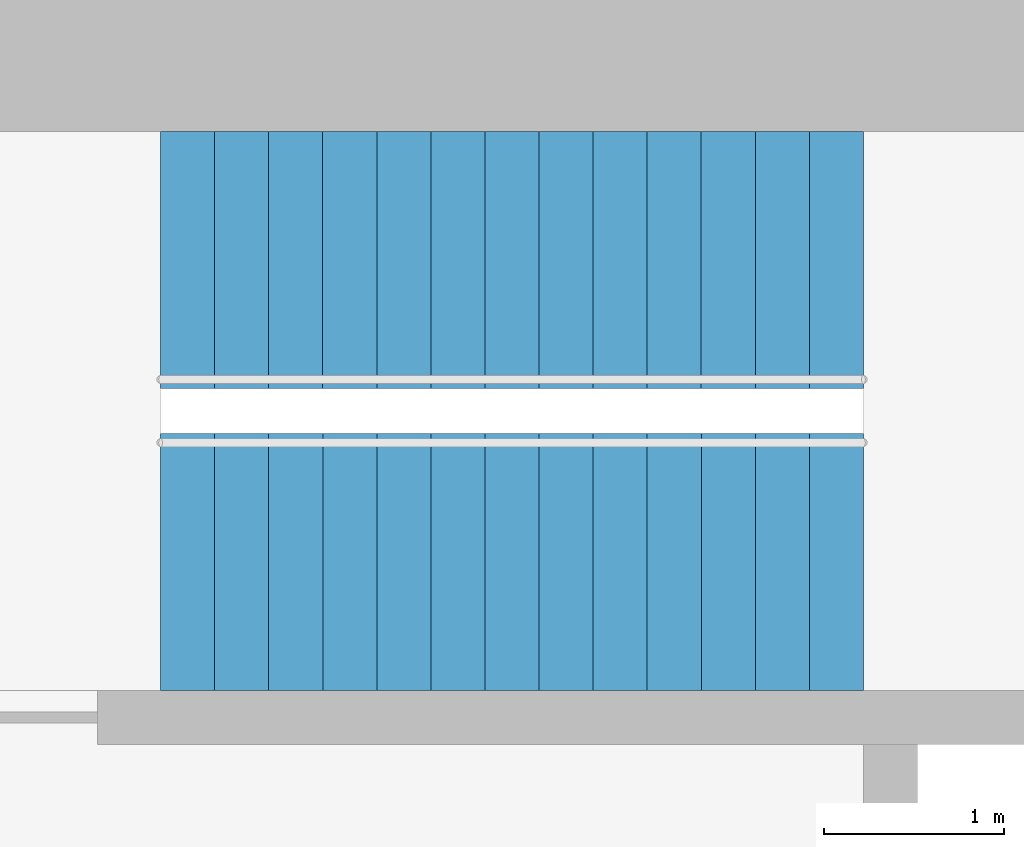
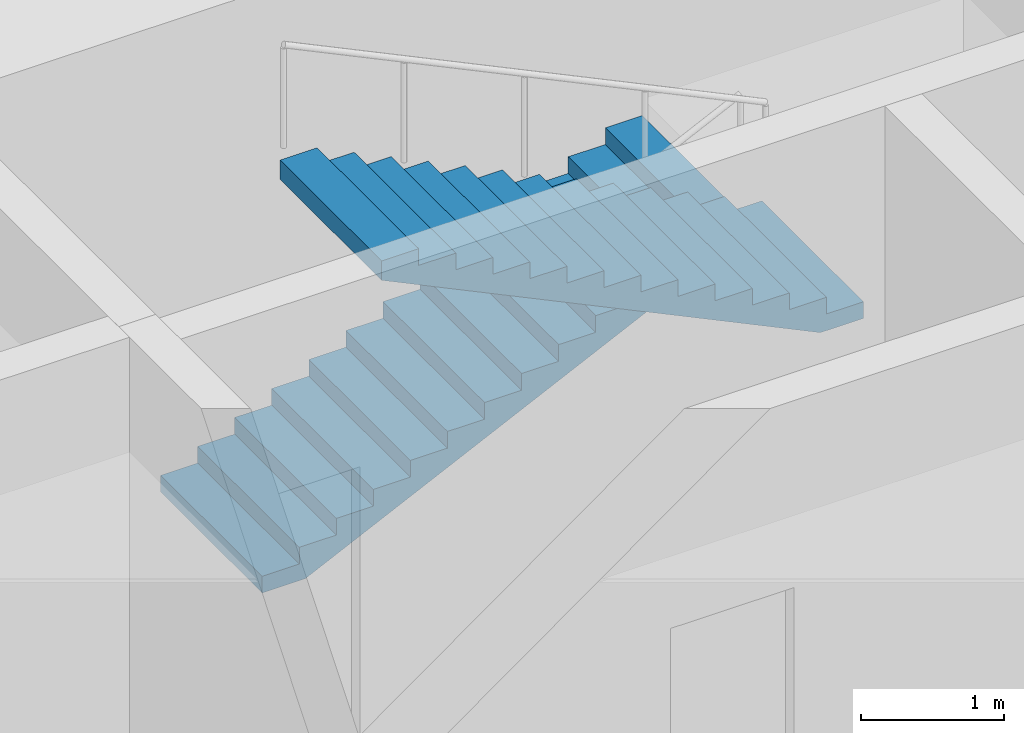
# One storey, part 33 of 34: 2 stair flights, 1 element without a shape of its own.
"""IFC4 building model written with IfcOpenShell, lengths in metres."""

import ifcopenshell
import ifcopenshell.guid

model = None  # the IFC model being written
_history = None  # IfcOwnerHistory: only IFC2X3 demands one
_inside = {}  # id of a spatial element -> (the spatial element, [elements in it])
_under = {}  # id of a project, library or spatial element -> (it, [spatial elements below it])
_declared = {}  # id of a project -> (the project, [libraries it declares])
_typed = {}  # id of a type object -> (the type object, [elements of that type])
_made_of = {}  # id of a material, layer set ... -> (it, [elements and type objects made of it])


def new_model(schema):
    """Start an empty IFC model of exactly this schema.

    Asked for "IFC4X3", IfcOpenShell would pick the latest addendum, in which some entities
    have other attributes; the version numbers below select the first issue.
    IFC2X3 requires an IfcOwnerHistory on every rooted entity: one is made here for all.
    """
    global model, _history
    if schema == "IFC4X3":
        model = ifcopenshell.file(schema_version=(4, 3, 0, 0))
    else:
        model = ifcopenshell.file(schema=schema)
    _inside.clear()
    _under.clear()
    _declared.clear()
    _typed.clear()
    _made_of.clear()
    _history = None
    if model.schema == "IFC2X3":
        org = make("IfcOrganization", Name="unknown")
        user = make(
            "IfcPersonAndOrganization",
            ThePerson=make("IfcPerson", FamilyName="unknown"),
            TheOrganization=org,
        )
        app = make(
            "IfcApplication",
            ApplicationDeveloper=org,
            Version="unknown",
            ApplicationFullName="unknown",
            ApplicationIdentifier="unknown",
        )
        _history = make(
            "IfcOwnerHistory",
            OwningUser=user,
            OwningApplication=app,
            ChangeAction="ADDED",
            CreationDate=0,
        )
    return model


def make(cls, **values):
    """One entity of the class cls with the attributes given. An attribute that is None is left unset."""
    return model.create_entity(
        cls, **{name: value for name, value in values.items() if value is not None}
    )


def rooted(cls, **values):
    """An entity with a GlobalId (a new one), such as an element, a storey or a relation."""
    return make(cls, GlobalId=ifcopenshell.guid.new(), OwnerHistory=_history, **values)


def si_unit(unit_type, name, prefix=None):
    """IfcSIUnit, for example si_unit("LENGTHUNIT", "METRE", prefix="MILLI")."""
    return make("IfcSIUnit", UnitType=unit_type, Prefix=prefix, Name=name)


def assignment(units):
    """IfcUnitAssignment: the units of a project."""
    return None if units is None else make("IfcUnitAssignment", Units=units)


def point(xyz):
    """IfcCartesianPoint."""
    return None if xyz is None else make("IfcCartesianPoint", Coordinates=xyz)


def direction(xyz):
    """IfcDirection."""
    return None if xyz is None else make("IfcDirection", DirectionRatios=xyz)


def frame(location, z_axis=None, x_axis=None):
    """IfcAxis2Placement3D, a coordinate frame: its origin and axes. An axis left out is left unset."""
    return make(
        "IfcAxis2Placement3D",
        Location=point(location),
        Axis=direction(z_axis),
        RefDirection=direction(x_axis),
    )


def origin():
    """The frame at (0, 0, 0) with its axes left unset."""
    return frame((0.0, 0.0, 0.0))


def place(relative_to, where):
    """IfcLocalPlacement: puts the frame where relative to a parent placement (None: the world)."""
    return make(
        "IfcLocalPlacement", PlacementRelTo=relative_to, RelativePlacement=where
    )


def context(
    kind, dimensions, precision=None, world=None, true_north=None, identifier=None
):
    """IfcGeometricRepresentationContext, for example the 3D "Model" context."""
    return make(
        "IfcGeometricRepresentationContext",
        ContextIdentifier=identifier,
        ContextType=kind,
        CoordinateSpaceDimension=dimensions,
        Precision=precision,
        WorldCoordinateSystem=world,
        TrueNorth=true_north,
    )


def subcontext(parent, identifier, kind, view, scale=None):
    """IfcGeometricRepresentationSubContext, for example "Body" below "Model"."""
    return make(
        "IfcGeometricRepresentationSubContext",
        ContextIdentifier=identifier,
        ContextType=kind,
        ParentContext=parent,
        TargetScale=scale,
        TargetView=view,
    )


def project(units=None, contexts=None):
    """IfcProject with its units and contexts."""
    return rooted(
        "IfcProject",
        Name="project",
        RepresentationContexts=contexts,
        UnitsInContext=assignment(units),
    )


def spatial(cls, under=None, at=None, **own):
    """A site, building, storey or space (cls), placed at a placement, below another one or the project."""
    s = rooted(cls, ObjectPlacement=at, **own)
    if under is not None:
        _under.setdefault(under.id(), (under, []))[1].append(s)
    return s


def polyline(points):
    """IfcPolyline through the points."""
    return make("IfcPolyline", Points=[point(p) for p in points])


def outline(outer, holes=None, kind="AREA"):
    """IfcArbitraryClosedProfileDef: a profile drawn as a closed curve; with holes, ...WithVoids."""
    if holes is None:
        return make("IfcArbitraryClosedProfileDef", ProfileType=kind, OuterCurve=outer)
    return make(
        "IfcArbitraryProfileDefWithVoids",
        ProfileType=kind,
        OuterCurve=outer,
        InnerCurves=holes,
    )


def extrude(swept, where, along, depth):
    """IfcExtrudedAreaSolid: the profile swept, set in the frame where, extruded along a direction by depth."""
    return make(
        "IfcExtrudedAreaSolid",
        SweptArea=swept,
        Position=where,
        ExtrudedDirection=direction(along),
        Depth=depth,
    )


def shape(context_of_items, identifier, shape_type, items):
    """IfcShapeRepresentation: the items that make up one representation, for example the "Body"."""
    return make(
        "IfcShapeRepresentation",
        ContextOfItems=context_of_items,
        RepresentationIdentifier=identifier,
        RepresentationType=shape_type,
        Items=items,
    )


def material(Name=None, Category=None):
    """IfcMaterial."""
    return make("IfcMaterial", Name=Name, Category=Category)


def made_of(thing, what):
    """Note that an element or type object is made of a material, layer set ...; save() writes the relation."""
    if what is not None:
        _made_of.setdefault(what.id(), (what, []))[1].append(thing)
    return thing


def type_object(cls, material=None, **own):
    """A type object (cls), such as IfcWallType, which elements share."""
    return made_of(rooted(cls, **own), material)


def element(
    cls,
    number,
    at=None,
    inside=None,
    cuts=None,
    type_object=None,
    material=None,
    context=None,
    identifier="Body",
    shape_type=None,
    held_by="IfcProductDefinitionShape",
    body=None,
    shapes=None,
    **own,
):
    """One element of the class cls, such as IfcWall. Its Tag is "e" and its number.

    at: its placement. inside: the storey or other place that contains it. cuts: it is an
    opening in that element (IfcRelVoidsElement). A single representation is given by context,
    identifier, shape_type and body (its items); several are given by shapes. held_by: the class
    of the entity that holds the representations. save() writes the other relations.
    """
    e = rooted(cls, Tag="e%d" % number, ObjectPlacement=at, **own)
    if body is not None:
        shapes = [shape(context, identifier, shape_type, body)]
    if shapes is not None:
        e.Representation = make(held_by, Representations=shapes)
    if inside is not None:
        _inside.setdefault(inside.id(), (inside, []))[1].append(e)
    if cuts is not None:
        rooted(
            "IfcRelVoidsElement", RelatingBuildingElement=cuts, RelatedOpeningElement=e
        )
    if type_object is not None:
        _typed.setdefault(type_object.id(), (type_object, []))[1].append(e)
    return made_of(e, material)


def aggregate(whole, parts):
    """IfcRelAggregates: a whole, such as a stair, and the parts it consists of."""
    return rooted("IfcRelAggregates", RelatingObject=whole, RelatedObjects=parts)


def save(model, path):
    """Write the relations noted so far, then the file.

    IfcRelAggregates (storeys below a building ...), IfcRelContainedInSpatialStructure (elements
    in a storey), IfcRelDefinesByType, IfcRelAssociatesMaterial and IfcRelDeclares: one each for
    every whole, place, type object, material and project.
    """
    for whole, parts in _under.values():
        aggregate(whole, parts)
    for where, things in _inside.values():
        rooted(
            "IfcRelContainedInSpatialStructure",
            RelatedElements=things,
            RelatingStructure=where,
        )
    for kind, things in _typed.values():
        rooted("IfcRelDefinesByType", RelatedObjects=things, RelatingType=kind)
    for what, things in _made_of.values():
        rooted("IfcRelAssociatesMaterial", RelatedObjects=things, RelatingMaterial=what)
    for by, libraries in _declared.values():
        rooted("IfcRelDeclares", RelatingContext=by, RelatedDefinitions=libraries)
    model.write(path)


model = new_model("IFC4")

# Units and contexts
model_context = context("Model", 3, precision=1e-05, world=origin(), true_north=direction((0.0, 1.0)))
body_context = subcontext(model_context, "Body", "Model", "MODEL_VIEW")
ifc_project = project(units=[si_unit("LENGTHUNIT", "METRE"), si_unit("AREAUNIT", "SQUARE_METRE"), si_unit("VOLUMEUNIT", "CUBIC_METRE"), si_unit("PLANEANGLEUNIT", "RADIAN"), si_unit("MASSUNIT", "GRAM", prefix="KILO")], contexts=[model_context])

# Site, building, storey
site_placement = place(None, origin())
site = spatial("IfcSite", under=ifc_project, at=site_placement, CompositionType="ELEMENT")
building_placement = place(site_placement, origin())
building = spatial("IfcBuilding", under=site, at=building_placement, Name="Zorevar Civic Tower", CompositionType="ELEMENT")
storey_placement = place(building_placement, frame((0.0, 0.0, 226.199951171875)))
storey = spatial("IfcBuildingStorey", under=building, at=storey_placement, Name="L55", CompositionType="ELEMENT", Elevation=226.199951171875)

# Stair, stair flights
ifc_material_1 = material(Name="Precast concrete C40/50", Category="concrete")
stair_type = type_object("IfcStairType", Name="Stair ST 28R", PredefinedType="HALF_TURN_STAIR", material=ifc_material_1)
stair_placement = place(storey_placement, origin())
stair = element("IfcStair", 1, at=stair_placement, inside=storey, type_object=stair_type, Name="Stair ST2 L55", PredefinedType="HALF_TURN_STAIR")
ifc_material_2 = material(Name="Precast concrete C40/50", Category="concrete")
stair_flight_type = type_object("IfcStairFlightType", Name="Stair flight", PredefinedType="STRAIGHT", material=ifc_material_2)
stair_flight_1_placement = place(storey_placement, frame((37.949951171875, 34.737548828125, 0.0), z_axis=(0.0, 0.0, 1.0), x_axis=(1.0, 0.0, 0.0)))
stair_flight_1 = element("IfcStairFlight", 2, at=stair_flight_1_placement, type_object=stair_flight_type, Name="ST2 flight 1", NumberOfRisers=14, NumberOfTreads=13, PredefinedType="STRAIGHT", RiserHeight=0.142857143, TreadLength=0.3, context=body_context, shape_type="SweptSolid", body=[
    extrude(outline(polyline([(0.0, 0.0), (0.0, 0.142822265625), (0.300048828125, 0.142822265625), (0.300048828125, 0.28564453125), (0.60009765625, 0.28564453125), (0.60009765625, 0.428466796875), (0.89990234375, 0.428466796875), (0.89990234375, 0.571533203125), (1.199951171875, 0.571533203125), (1.199951171875, 0.71435546875), (1.5, 0.71435546875), (1.5, 0.857177734375), (1.800048828125, 0.857177734375), (1.800048828125, 1.0), (2.10009765625, 1.0), (2.10009765625, 1.142822265625), (2.39990234375, 1.142822265625), (2.39990234375, 1.28564453125), (2.699951171875, 1.28564453125), (2.699951171875, 1.428466796875), (3.0, 1.428466796875), (3.0, 1.571533203125), (3.300048828125, 1.571533203125), (3.300048828125, 1.71435546875), (3.60009765625, 1.71435546875), (3.60009765625, 1.857177734375), (3.89990234375, 1.857177734375), (3.89990234375, 2.0), (3.89990234375, 1.691162109375), (0.3486328125, 0.0), (0.0, 0.0)])), frame((0.0, 0.71240234375, 0.0), z_axis=(0.0, -1.0, 0.0), x_axis=(1.0, 0.0, 0.0)), (0.0, 0.0, 1.0), 1.425048828125),
])
stair_flight_2_placement = place(storey_placement, frame((41.85009765625, 33.0625, 2.0), z_axis=(0.0, 0.0, 1.0), x_axis=(-1.0, 0.0, 0.0)))
stair_flight_2 = element("IfcStairFlight", 3, at=stair_flight_2_placement, type_object=stair_flight_type, Name="ST2 flight 2", NumberOfRisers=14, NumberOfTreads=13, PredefinedType="STRAIGHT", RiserHeight=0.142857143, TreadLength=0.3, context=body_context, shape_type="SweptSolid", body=[
    extrude(outline(polyline([(0.0, 0.0), (0.0, 0.142822265625), (0.300048828125, 0.142822265625), (0.300048828125, 0.28564453125), (0.60009765625, 0.28564453125), (0.60009765625, 0.428466796875), (0.89990234375, 0.428466796875), (0.89990234375, 0.571533203125), (1.199951171875, 0.571533203125), (1.199951171875, 0.71435546875), (1.5, 0.71435546875), (1.5, 0.857177734375), (1.800048828125, 0.857177734375), (1.800048828125, 1.0), (2.10009765625, 1.0), (2.10009765625, 1.142822265625), (2.39990234375, 1.142822265625), (2.39990234375, 1.28564453125), (2.699951171875, 1.28564453125), (2.699951171875, 1.428466796875), (3.0, 1.428466796875), (3.0, 1.571533203125), (3.300048828125, 1.571533203125), (3.300048828125, 1.71435546875), (3.60009765625, 1.71435546875), (3.60009765625, 1.857177734375), (3.89990234375, 1.857177734375), (3.89990234375, 2.0), (3.89990234375, 1.691162109375), (0.3486328125, 0.0), (0.0, 0.0)])), frame((0.0, 0.71240234375, 0.0), z_axis=(0.0, -1.0, 0.0), x_axis=(1.0, 0.0, 0.0)), (0.0, 0.0, 1.0), 1.425048828125),
])
aggregate(stair, [stair_flight_1, stair_flight_2])

save(model, "model.ifc")
